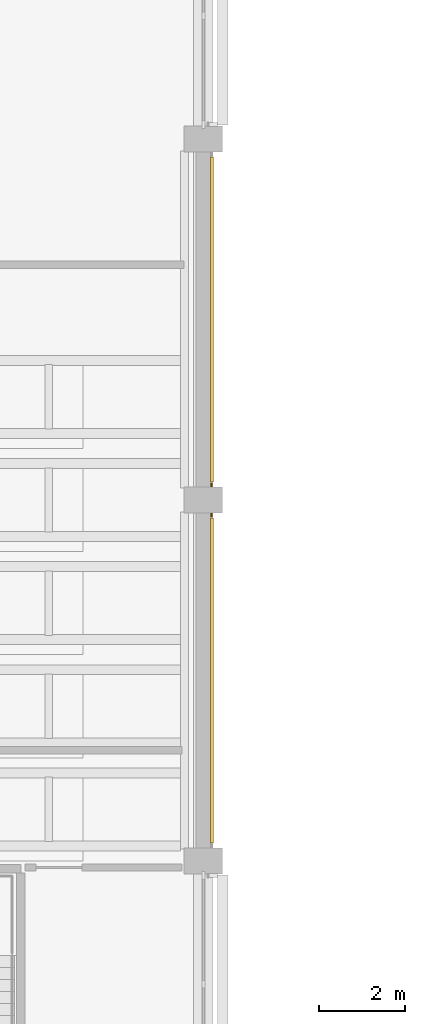
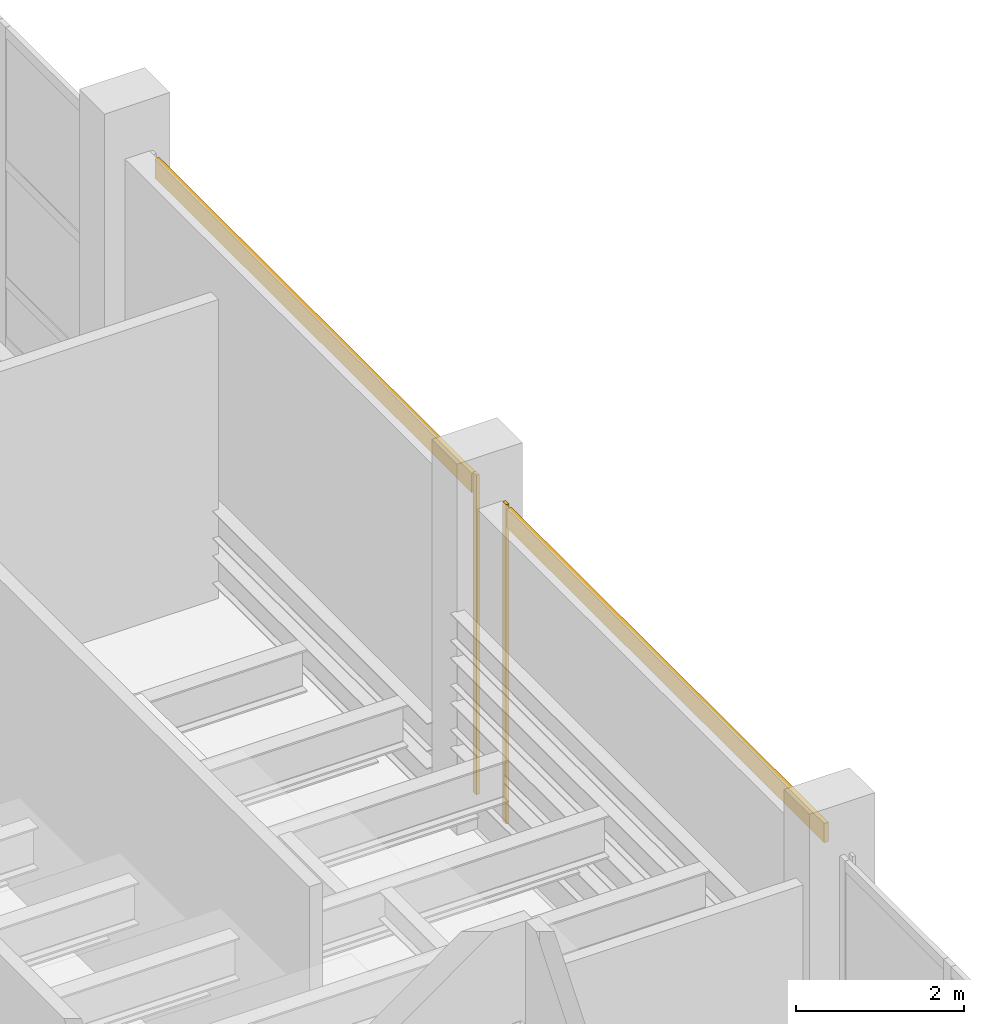
# One storey, part 130 of 140: 4 coverings.
"""IFC4 building model written with IfcOpenShell, lengths in metres."""

from ifc_helpers import new_model, si_unit, direction, frame, origin, origin_2d, place, context, subcontext, project, spatial, rectangle, extrude, material, layer, layer_set, type_object, element, save


model = new_model("IFC4")

# Units and contexts
model_context = context("Model", 3, precision=1e-05, world=origin(), true_north=direction((0.0, 1.0)))
body_context = subcontext(model_context, "Body", "Model", "MODEL_VIEW")
ifc_project = project(units=[si_unit("LENGTHUNIT", "METRE"), si_unit("AREAUNIT", "SQUARE_METRE"), si_unit("VOLUMEUNIT", "CUBIC_METRE"), si_unit("PLANEANGLEUNIT", "RADIAN"), si_unit("MASSUNIT", "GRAM", prefix="KILO")], contexts=[model_context])

# Site, building, storey
site_placement = place(None, origin())
site = spatial("IfcSite", under=ifc_project, at=site_placement, CompositionType="ELEMENT")
building_placement = place(site_placement, origin())
building = spatial("IfcBuilding", under=site, at=building_placement, Name="Telukmera Botanical Conservatory", CompositionType="ELEMENT")
storey_placement = place(building_placement, origin())
storey = spatial("IfcBuildingStorey", under=building, at=storey_placement, Name="L00", CompositionType="ELEMENT", Elevation=0.0)

# Coverings
ifc_material_1 = material(Name="Granite-faced precast concrete C40/50", Category="masonry")
ifc_layer_1 = layer(ifc_material_1, 0.0400390625)
ifc_layer_set_1 = layer_set([ifc_layer_1], Name="Granite-faced precast concrete C40/50")
covering_type_1 = type_object("IfcCoveringType", Name="Granite Precast Column Pier Reveal Casing", PredefinedType="CLADDING", material=ifc_layer_set_1)
for number, where, z_axis, x_axis, name in (
    (1, (42.18994140625, 99.64794921875, 0.0), (0.0, 0.0, 1.0), (0.0, 1.0, 0.0), "Granite Pier Reveal V2:L00:E2 R"),
    (2, (42.18994140625, 100.35205078125, 0.0), (0.0, 0.0, 1.0), (0.0, 1.0, 0.0), "Granite Pier Reveal V2:L00:E3 L"),
):
    element("IfcCovering", number, at=place(storey_placement, frame(where, z_axis=z_axis, x_axis=x_axis)), inside=storey, type_object=covering_type_1, Name=name, PredefinedType="CLADDING", context=body_context, shape_type="SweptSolid", body=[
        extrude(rectangle(XDim=0.080078125, YDim=0.0400390625, at=origin_2d()), origin(), (0.0, 0.0, 1.0), 4.64990234375),
    ])
ifc_material_2 = material(Name="Terracotta-faced precast concrete C40/50", Category="masonry")
ifc_layer_2 = layer(ifc_material_2, 0.06005859375)
ifc_layer_set_2 = layer_set([ifc_layer_2], Name="Terracotta-faced precast concrete C40/50")
covering_type_2 = type_object("IfcCoveringType", Name="Polychrome Terracotta Facade Band Cladding", PredefinedType="CLADDING", material=ifc_layer_set_2)
for number, where, z_axis, x_axis, name in (
    (3, (42.199951171875, 95.800048828125, 4.330078125), (0.0, 0.0, 1.0), (0.0, 1.0, 0.0), "Polychrome Terracotta Band V2:L00:E2"),
    (4, (42.199951171875, 104.199951171875, 4.330078125), (0.0, 0.0, 1.0), (0.0, 1.0, 0.0), "Polychrome Terracotta Band V2:L00:E3"),
):
    element("IfcCovering", number, at=place(storey_placement, frame(where, z_axis=z_axis, x_axis=x_axis)), inside=storey, type_object=covering_type_2, Name=name, PredefinedType="CLADDING", context=body_context, shape_type="SweptSolid", body=[
        extrude(rectangle(XDim=7.555908203125, YDim=0.06005859375, at=origin_2d()), origin(), (0.0, 0.0, 1.0), 0.280029296875),
    ])

save(model, "model.ifc")
